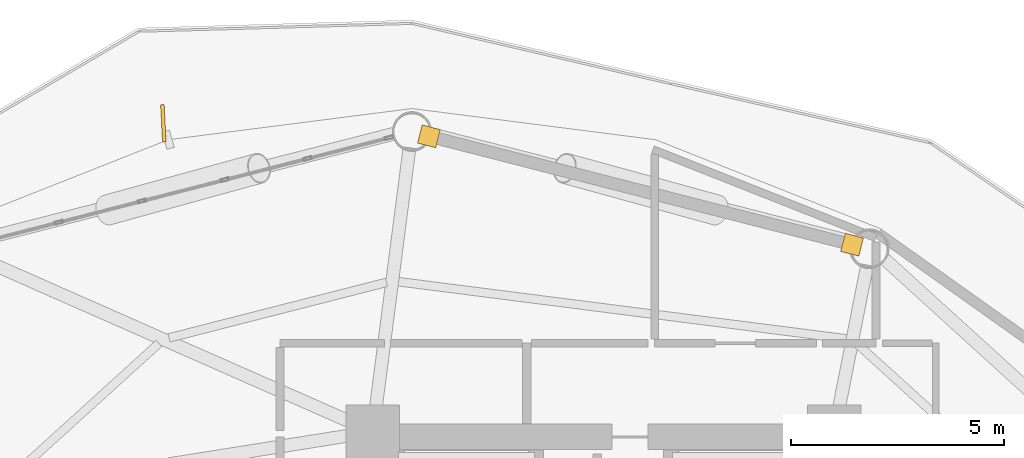
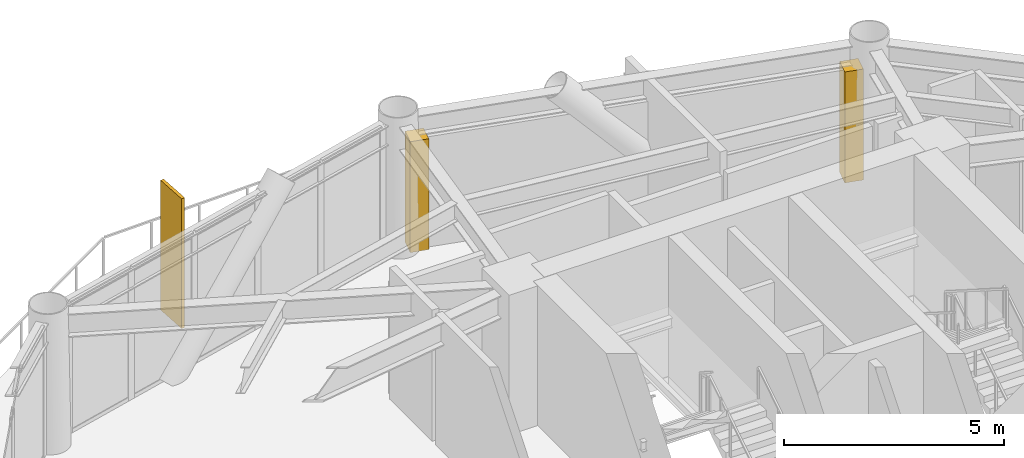
# One storey, part 22 of 22: 2 coverings, 1 shading device.
"""IFC4 building model written with IfcOpenShell, lengths in metres."""

from ifc_helpers import new_model, si_unit, direction, frame, origin, origin_2d, place, context, subcontext, project, spatial, rectangle, extrude, source, transform, mapped, material, layer, layer_set, type_object, type_shapes, element, save


model = new_model("IFC4")

# Units and contexts
model_context = context("Model", 3, precision=1e-05, world=origin(), true_north=direction((0.0, 1.0)))
body_context = subcontext(model_context, "Body", "Model", "MODEL_VIEW")
ifc_project = project(units=[si_unit("LENGTHUNIT", "METRE"), si_unit("AREAUNIT", "SQUARE_METRE"), si_unit("VOLUMEUNIT", "CUBIC_METRE"), si_unit("PLANEANGLEUNIT", "RADIAN"), si_unit("MASSUNIT", "GRAM", prefix="KILO")], contexts=[model_context])

# Site, building, storey
site_placement = place(None, origin())
site = spatial("IfcSite", under=ifc_project, at=site_placement, CompositionType="ELEMENT")
building_placement = place(site_placement, origin())
building = spatial("IfcBuilding", under=site, at=building_placement, Name="Varnakorn Sky Granary", CompositionType="ELEMENT")
storey_placement = place(building_placement, frame((0.0, 0.0, 66.60009765625)))
storey = spatial("IfcBuildingStorey", under=building, at=storey_placement, Name="L16", CompositionType="ELEMENT", Elevation=66.60009765625)

# Shading device
ifc_material = material(Name="Anodised Bronze Aluminium Alloy 6063-T6", Category="aluminium")
shading_device_type = type_object("IfcShadingDeviceType", Name="SH-FIN-01", PredefinedType="USERDEFINED", material=ifc_material)
shared_shape_1 = source(origin(), body_context, "Body", "SweptSolid", [
    extrude(rectangle(XDim=0.0849609375, YDim=0.8798828125, at=origin_2d()), origin(), (0.0, 0.0, 1.0), 3.60009765625),
])
type_shapes(shading_device_type, [shared_shape_1])
shading_device_placement = place(storey_placement, frame((-7.339111328125, 19.86279296875, -0.0400390625), z_axis=(0.0, 0.0, 1.0), x_axis=(-0.998694954541, -0.051072377806, 0.0)))
element("IfcShadingDevice", 1, at=shading_device_placement, inside=storey, type_object=shading_device_type, Name="Bronze Solar-Tracking Vertical Blade FIN L16-04", ObjectType="FIN", PredefinedType="USERDEFINED", context=body_context, shape_type="MappedRepresentation", body=[
    mapped(shared_shape_1, transform((0.0, 0.0, 0.0), x_axis=(1.0, 0.0, 0.0), y_axis=(0.0, 1.0, 0.0), z_axis=(0.0, 0.0, 1.0), scale=1.0)),
])

# Coverings
ifc_layer = layer(ifc_material, 0.050048828125, Name="Anodised Bronze Aluminium Alloy 6063-T6")
ifc_layer_set = layer_set([ifc_layer], Name="Anodised Bronze Aluminium Alloy 6063-T6")
covering_type = type_object("IfcCoveringType", Name="CV-CLAD-50", PredefinedType="CLADDING", material=ifc_layer_set)
shared_shape_2 = source(origin(), body_context, "Body", "SweptSolid", [
    extrude(rectangle(XDim=0.43994140625, YDim=0.43994140625, at=origin_2d()), origin(), (0.0, 0.0, 1.0), 3.080078125),
])
type_shapes(covering_type, [shared_shape_2])
for number, where, z_axis, x_axis, name in (
    (2, (-1.100830078125, 19.559814453125, -0.02001953125), (0.0, 0.0, 1.0), (0.968713242072, -0.248182704141, 0.0), "Bronze Corner Pilaster Closure L16-P03-A"),
    (3, (8.837890625, 17.01318359375, -0.02001953125), (0.0, 0.0, 1.0), (0.968713242072, -0.248182704141, 0.0), "Bronze Corner Pilaster Closure L16-P03-B"),
):
    element("IfcCovering", number, at=place(storey_placement, frame(where, z_axis=z_axis, x_axis=x_axis)), inside=storey, type_object=covering_type, Name=name, PredefinedType="CLADDING", context=body_context, shape_type="MappedRepresentation", body=[
        mapped(shared_shape_2, transform((0.0, 0.0, 0.0), x_axis=(1.0, 0.0, 0.0), y_axis=(0.0, 1.0, 0.0), z_axis=(0.0, 0.0, 1.0), scale=1.0)),
    ])

save(model, "model.ifc")
